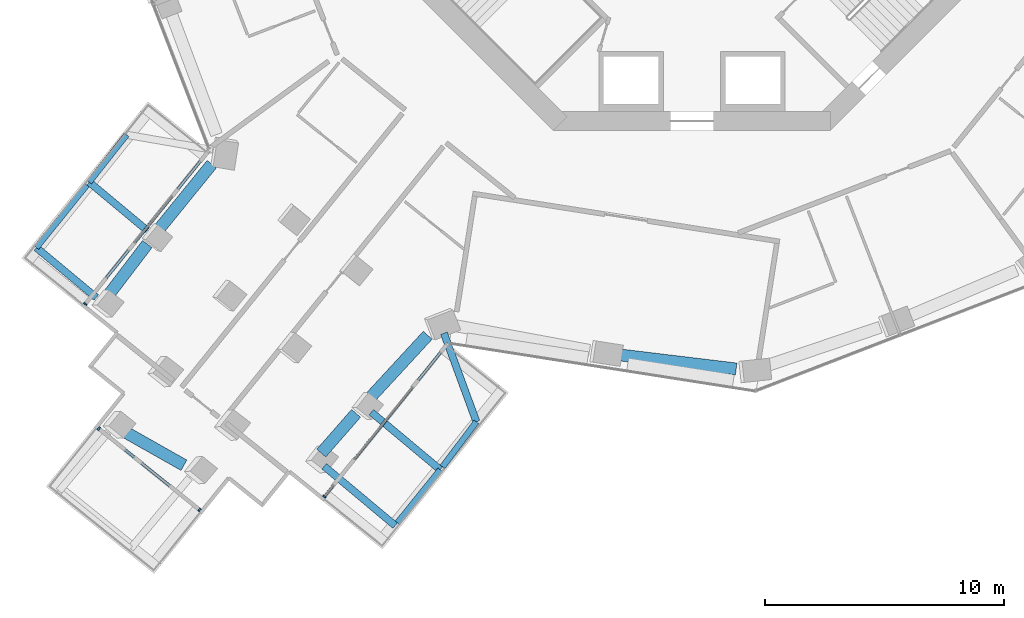
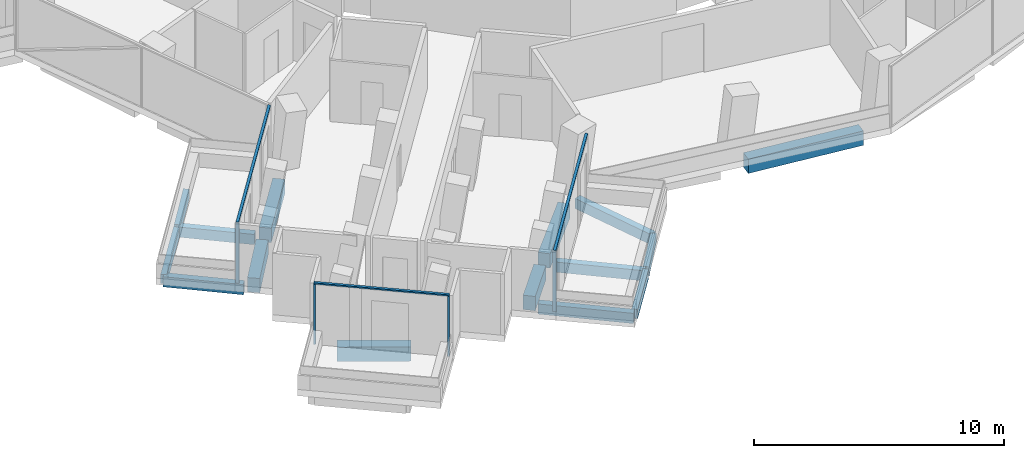
# One storey, part 2 of 23: 15 beams, 7 members, 3 elements without a shape of their own.
"""IFC4 building model written with IfcOpenShell, lengths in metres."""

from ifc_helpers import new_model, si_unit, direction, frame, origin, origin_2d, place, context, subcontext, project, spatial, rectangle, extrude, material, layer, layer_set, material_profile, profile_set, type_object, element, aggregate, save


model = new_model("IFC4")

# Units and contexts
model_context = context("Model", 3, precision=1e-05, world=origin(), true_north=direction((0.0, 1.0)))
body_context = subcontext(model_context, "Body", "Model", "MODEL_VIEW")
ifc_project = project(units=[si_unit("LENGTHUNIT", "METRE"), si_unit("AREAUNIT", "SQUARE_METRE"), si_unit("VOLUMEUNIT", "CUBIC_METRE"), si_unit("PLANEANGLEUNIT", "RADIAN"), si_unit("MASSUNIT", "GRAM", prefix="KILO")], contexts=[model_context])

# Site, building, storey
site_placement = place(None, origin())
site = spatial("IfcSite", under=ifc_project, at=site_placement, CompositionType="ELEMENT")
building_placement = place(site_placement, origin())
building = spatial("IfcBuilding", under=site, at=building_placement, Name="Verdalira Terraces Hotel", CompositionType="ELEMENT")
storey_placement = place(building_placement, frame((0.0, 0.0, 118.5)))
storey = spatial("IfcBuildingStorey", under=building, at=storey_placement, Name="L28", CompositionType="ELEMENT", Elevation=118.5)

# Beams
ifc_material_1 = material(Name="Concrete C40", Category="concrete")
ifc_material_profile_1 = material_profile(ifc_material_1, rectangle(XDim=0.300049, YDim=0.5, at=origin_2d()), Name="RC 300X500")
ifc_profile_set_1 = profile_set([ifc_material_profile_1], Name="Concrete C40")
beam_type_1 = type_object("IfcBeamType", Name="Balcony cantilever beam RC 300X500 C40", PredefinedType="BEAM", material=ifc_profile_set_1)
beam_1_placement = place(storey_placement, frame((-22.811279, -18.186035, -0.560059), z_axis=(-0.767866285, 0.640610153, 0.0), x_axis=(-0.640610153, -0.767866285, 0.0)))
element("IfcBeam", 1, at=beam_1_placement, inside=storey, type_object=beam_type_1, Name="Balcony cantilever beam R14-2", PredefinedType="BEAM", context=body_context, shape_type="SweptSolid", body=[
    extrude(rectangle(XDim=0.300049, YDim=0.5, at=origin_2d()), origin(), (0.0, 0.0, 1.0), 3.157959),
])
beam_2_placement = place(storey_placement, frame((-24.94165, -20.994385, -0.560059), z_axis=(-0.767816276, 0.640670092, 0.0), x_axis=(-0.640670092, -0.767816276, 0.0)))
element("IfcBeam", 2, at=beam_2_placement, inside=storey, type_object=beam_type_1, Name="Balcony cantilever beam R14-3", PredefinedType="BEAM", context=body_context, shape_type="SweptSolid", body=[
    extrude(rectangle(XDim=0.300049, YDim=0.5, at=origin_2d()), origin(), (0.0, 0.0, 1.0), 3.262451),
])
beam_3_placement = place(storey_placement, frame((-15.400879, -28.057617, -0.560059), z_axis=(0.767823813, -0.640661059, 0.0), x_axis=(0.640661059, 0.767823813, 0.0)))
element("IfcBeam", 3, at=beam_3_placement, inside=storey, type_object=beam_type_1, Name="Balcony cantilever beam R24-1", PredefinedType="BEAM", context=body_context, shape_type="SweptSolid", body=[
    extrude(rectangle(XDim=0.300049, YDim=0.5, at=origin_2d()), origin(), (0.0, 0.0, 1.0), 3.878174),
])
beam_4_placement = place(storey_placement, frame((-13.426758, -25.791992, -0.560059), z_axis=(0.767848922, -0.640630965, 0.0), x_axis=(0.640630965, 0.767848922, 0.0)))
element("IfcBeam", 4, at=beam_4_placement, inside=storey, type_object=beam_type_1, Name="Balcony cantilever beam R24-2", PredefinedType="BEAM", context=body_context, shape_type="SweptSolid", body=[
    extrude(rectangle(XDim=0.300049, YDim=0.5, at=origin_2d()), origin(), (0.0, 0.0, 1.0), 3.763184),
])
beam_5_placement = place(storey_placement, frame((-10.385498, -22.487549, -0.560059), z_axis=(0.344639632, -0.938735066, 0.0), x_axis=(0.938735066, 0.344639632, 0.0)))
element("IfcBeam", 5, at=beam_5_placement, inside=storey, type_object=beam_type_1, Name="Balcony cantilever beam R24-3", PredefinedType="BEAM", context=body_context, shape_type="SweptSolid", body=[
    extrude(rectangle(XDim=0.300049, YDim=0.5, at=origin_2d()), origin(), (0.0, 0.0, 1.0), 3.949951),
])
ifc_material_2 = material(Name="Concrete C40", Category="concrete")
ifc_material_profile_2 = material_profile(ifc_material_2, rectangle(XDim=0.25, YDim=0.449951, at=origin_2d()), Name="RC 250X450")
ifc_profile_set_2 = profile_set([ifc_material_profile_2], Name="Concrete C40")
beam_type_2 = type_object("IfcBeamType", Name="Balcony edge beam RC 250X450 C40", PredefinedType="BEAM", material=ifc_profile_set_2)
beam_6_placement = place(storey_placement, frame((-23.669678, -14.180176, -0.534912), z_axis=(-0.619876069, -0.784699725, 0.0), x_axis=(0.784699725, -0.619876069, 0.0)))
element("IfcBeam", 6, at=beam_6_placement, inside=storey, type_object=beam_type_2, Name="Balcony edge beam R14-1", PredefinedType="BEAM", context=body_context, shape_type="SweptSolid", body=[
    extrude(rectangle(XDim=0.25, YDim=0.449951, at=origin_2d()), origin(), (0.0, 0.0, 1.0), 2.526855),
])
beam_7_placement = place(storey_placement, frame((-25.330322, -16.279785, -0.534912), z_axis=(-0.627693002, -0.778460979, 0.0), x_axis=(0.778460979, -0.627693002, 0.0)))
element("IfcBeam", 7, at=beam_7_placement, inside=storey, type_object=beam_type_2, Name="Balcony edge beam R14-2", PredefinedType="BEAM", context=body_context, shape_type="SweptSolid", body=[
    extrude(rectangle(XDim=0.25, YDim=0.449951, at=origin_2d()), origin(), (0.0, 0.0, 1.0), 3.371338),
])
beam_8_placement = place(storey_placement, frame((-12.329102, -30.425293, -0.534912), z_axis=(0.627693946, 0.778460217, 0.0), x_axis=(-0.778460217, 0.627693946, 0.0)))
element("IfcBeam", 8, at=beam_8_placement, inside=storey, type_object=beam_type_2, Name="Balcony edge beam R24-1", PredefinedType="BEAM", context=body_context, shape_type="SweptSolid", body=[
    extrude(rectangle(XDim=0.25, YDim=0.449951, at=origin_2d()), origin(), (0.0, 0.0, 1.0), 2.85498),
])
beam_9_placement = place(storey_placement, frame((-10.446777, -28.083008, -0.534912), z_axis=(0.601898931, 0.798572274, 0.0), x_axis=(-0.798572274, 0.601898931, 0.0)))
element("IfcBeam", 9, at=beam_9_placement, inside=storey, type_object=beam_type_2, Name="Balcony edge beam R24-2", PredefinedType="BEAM", context=body_context, shape_type="SweptSolid", body=[
    extrude(rectangle(XDim=0.25, YDim=0.449951, at=origin_2d()), origin(), (0.0, 0.0, 1.0), 2.363525),
])

# Curtain wall, member
ifc_material_3 = material(Name="Clear glass", Category="glass")
ifc_layer_1 = layer(ifc_material_3, 0.14990234375)
ifc_layer_set_1 = layer_set([ifc_layer_1], Name="CW2 curtain wall")
curtain_wall_type_1 = type_object("IfcCurtainWallType", Name="CW2 curtain wall", PredefinedType="NOTDEFINED", material=ifc_layer_set_1)
curtain_wall_1_placement = place(storey_placement, origin())
curtain_wall_1 = element("IfcCurtainWall", 10, at=curtain_wall_1_placement, inside=storey, type_object=curtain_wall_type_1, Name="CW2 curtain wall L28 edge 14", PredefinedType="NOTDEFINED")
ifc_material_4 = material(Name="Terracotta frame", Category="masonry")
ifc_material_profile_3 = material_profile(ifc_material_4, rectangle(XDim=0.070068, YDim=0.149902, at=origin_2d()), Name="MU 70x150")
ifc_profile_set_3 = profile_set([ifc_material_profile_3], Name="Terracotta frame")
member_type_1 = type_object("IfcMemberType", Name="CW2 mullion 70x150", PredefinedType="MULLION", material=ifc_profile_set_3)
member_1_placement = place(storey_placement, frame((-25.396484, -21.260742, 0.0), z_axis=(0.0, 0.0, 1.0), x_axis=(-0.627691361, -0.778462302, 0.0)))
member_1 = element("IfcMember", 11, at=member_1_placement, type_object=member_type_1, Name="CW2 mullion", PredefinedType="MULLION", context=body_context, shape_type="SweptSolid", body=[
    extrude(rectangle(XDim=0.070068, YDim=0.149902, at=origin_2d()), origin(), (0.0, 0.0, 1.0), 2.935059),
])

curtain_wall_2_placement = place(storey_placement, origin())
curtain_wall_2 = element("IfcCurtainWall", 12, at=curtain_wall_2_placement, inside=storey, type_object=curtain_wall_type_1, Name="CW2 curtain wall L28 edge 24", PredefinedType="NOTDEFINED")
member_2_placement = place(storey_placement, frame((-15.393311, -29.32666, 0.0), z_axis=(0.0, 0.0, 1.0), x_axis=(0.627691361, 0.778462302, 0.0)))
member_2 = element("IfcMember", 13, at=member_2_placement, type_object=member_type_1, Name="CW2 mullion", PredefinedType="MULLION", context=body_context, shape_type="SweptSolid", body=[
    extrude(rectangle(XDim=0.070068, YDim=0.149902, at=origin_2d()), origin(), (0.0, 0.0, 1.0), 2.935059),
])

# Member
ifc_material_5 = material(Name="Terracotta frame", Category="masonry")
ifc_material_profile_4 = material_profile(ifc_material_5, rectangle(XDim=0.11499, YDim=0.064941, at=origin_2d()), Name="TR 65x115")
ifc_profile_set_4 = profile_set([ifc_material_profile_4], Name="Terracotta frame")
member_type_2 = type_object("IfcMemberType", Name="CW2 transom 65x115", PredefinedType="USERDEFINED", material=ifc_profile_set_4)
member_3_placement = place(storey_placement, frame((-20.228271, -14.851318, 2.967529), z_axis=(-0.627697046, -0.778457718, 0.0), x_axis=(0.778457718, -0.627697046, 0.0)))
member_3 = element("IfcMember", 14, at=member_3_placement, type_object=member_type_2, Name="CW2 transom", ObjectType="TRANSOM", PredefinedType="USERDEFINED", context=body_context, shape_type="SweptSolid", body=[
    extrude(rectangle(XDim=0.11499, YDim=0.064941, at=origin_2d()), origin(), (0.0, 0.0, 1.0), 8.268555),
])

aggregate(curtain_wall_1, [member_1, member_3])

member_4_placement = place(storey_placement, frame((-15.415283, -29.35376, 2.967529), z_axis=(0.627697046, 0.778457718, 0.0), x_axis=(-0.778457718, 0.627697046, 0.0)))
member_4 = element("IfcMember", 15, at=member_4_placement, type_object=member_type_2, Name="CW2 transom", ObjectType="TRANSOM", PredefinedType="USERDEFINED", context=body_context, shape_type="SweptSolid", body=[
    extrude(rectangle(XDim=0.11499, YDim=0.064941, at=origin_2d()), origin(), (0.0, 0.0, 1.0), 8.268555),
])

aggregate(curtain_wall_2, [member_2, member_4])

# Curtain wall, members
ifc_material_6 = material(Name="Clear glass", Category="glass")
ifc_layer_2 = layer(ifc_material_6, 0.14990234375)
ifc_layer_set_2 = layer_set([ifc_layer_2], Name="CW3 curtain wall")
curtain_wall_type_2 = type_object("IfcCurtainWallType", Name="CW3 curtain wall", PredefinedType="NOTDEFINED", material=ifc_layer_set_2)
curtain_wall_3_placement = place(storey_placement, origin())
curtain_wall_3 = element("IfcCurtainWall", 16, at=curtain_wall_3_placement, inside=storey, type_object=curtain_wall_type_2, Name="CW3 curtain wall L28 edge 19", PredefinedType="NOTDEFINED")
ifc_material_7 = material(Name="Terracotta frame", Category="masonry")
ifc_material_profile_5 = material_profile(ifc_material_7, rectangle(XDim=0.080078, YDim=0.149902, at=origin_2d()), Name="MU 80x150")
ifc_profile_set_5 = profile_set([ifc_material_profile_5], Name="Terracotta frame")
member_type_3 = type_object("IfcMemberType", Name="CW3 mullion 80x150", PredefinedType="MULLION", material=ifc_profile_set_5)
member_5_placement = place(storey_placement, frame((-24.833252, -26.480713, 0.0), z_axis=(0.0, 0.0, 1.0), x_axis=(0.778462302, -0.627691361, 0.0)))
member_5 = element("IfcMember", 17, at=member_5_placement, type_object=member_type_3, Name="CW3 mullion", PredefinedType="MULLION", context=body_context, shape_type="SweptSolid", body=[
    extrude(rectangle(XDim=0.080078, YDim=0.149902, at=origin_2d()), origin(), (0.0, 0.0, 1.0), 2.935059),
])
member_6_placement = place(storey_placement, frame((-20.614014, -29.882812, 0.0), z_axis=(0.0, 0.0, 1.0), x_axis=(0.778462302, -0.627691361, 0.0)))
member_6 = element("IfcMember", 18, at=member_6_placement, type_object=member_type_3, Name="CW3 mullion", PredefinedType="MULLION", context=body_context, shape_type="SweptSolid", body=[
    extrude(rectangle(XDim=0.080078, YDim=0.149902, at=origin_2d()), origin(), (0.0, 0.0, 1.0), 2.935059),
])
ifc_material_8 = material(Name="Terracotta frame", Category="masonry")
ifc_material_profile_6 = material_profile(ifc_material_8, rectangle(XDim=0.120117, YDim=0.064941, at=origin_2d()), Name="TR 65x120")
ifc_profile_set_6 = profile_set([ifc_material_profile_6], Name="Terracotta frame")
member_type_4 = type_object("IfcMemberType", Name="CW3 transom 65x120", PredefinedType="USERDEFINED", material=ifc_profile_set_6)
member_7_placement = place(storey_placement, frame((-24.864258, -26.455566, 2.967529), z_axis=(0.778450822, -0.627705598, 0.0), x_axis=(0.627705598, 0.778450822, 0.0)))
member_7 = element("IfcMember", 19, at=member_7_placement, type_object=member_type_4, Name="CW3 transom", ObjectType="TRANSOM", PredefinedType="USERDEFINED", context=body_context, shape_type="SweptSolid", body=[
    extrude(rectangle(XDim=0.120117, YDim=0.064941, at=origin_2d()), origin(), (0.0, 0.0, 1.0), 5.5),
])
aggregate(curtain_wall_3, [member_5, member_6, member_7])

# Beams
ifc_material_9 = material(Name="Concrete C70", Category="concrete")
ifc_material_profile_7 = material_profile(ifc_material_9, rectangle(XDim=0.5, YDim=0.699951, at=origin_2d()), Name="RC 500X700")
ifc_profile_set_7 = profile_set([ifc_material_profile_7], Name="Concrete C70")
beam_type_3 = type_object("IfcBeamType", Name="Spandrel beam RC 500X700 C70", PredefinedType="SPANDREL", material=ifc_profile_set_7)
beam_10_placement = place(storey_placement, frame((-20.103516, -15.408936, -0.659912), z_axis=(-0.630249191, -0.776392914, 0.0), x_axis=(0.776392914, -0.630249191, 0.0)))
element("IfcBeam", 20, at=beam_10_placement, inside=storey, type_object=beam_type_3, Name="Spandrel beam B08", PredefinedType="SPANDREL", context=body_context, shape_type="SweptSolid", body=[
    extrude(rectangle(XDim=0.5, YDim=0.699951, at=origin_2d()), origin(), (0.0, 0.0, 1.0), 3.479736),
])
beam_11_placement = place(storey_placement, frame((-22.805176, -18.757324, -0.659912), z_axis=(-0.60597824, -0.795481221, 0.0), x_axis=(0.795481221, -0.60597824, 0.0)))
element("IfcBeam", 21, at=beam_11_placement, inside=storey, type_object=beam_type_3, Name="Spandrel beam B09", PredefinedType="SPANDREL", context=body_context, shape_type="SweptSolid", body=[
    extrude(rectangle(XDim=0.5, YDim=0.699951, at=origin_2d()), origin(), (0.0, 0.0, 1.0), 2.717041),
])
beam_12_placement = place(storey_placement, frame((-23.856934, -26.552246, -0.659912), z_axis=(0.870527667, -0.492119479, 0.0), x_axis=(0.492119479, 0.870527667, 0.0)))
element("IfcBeam", 22, at=beam_12_placement, inside=storey, type_object=beam_type_3, Name="Spandrel beam B10", PredefinedType="SPANDREL", context=body_context, shape_type="SweptSolid", body=[
    extrude(rectangle(XDim=0.5, YDim=0.699951, at=origin_2d()), origin(), (0.0, 0.0, 1.0), 2.973633),
])
beam_13_placement = place(storey_placement, frame((-15.52002, -27.508301, -0.659912), z_axis=(0.658098558, 0.752931795, 0.0), x_axis=(-0.752931795, 0.658098558, 0.0)))
element("IfcBeam", 23, at=beam_13_placement, inside=storey, type_object=beam_type_3, Name="Spandrel beam B11", PredefinedType="SPANDREL", context=body_context, shape_type="SweptSolid", body=[
    extrude(rectangle(XDim=0.5, YDim=0.699951, at=origin_2d()), origin(), (0.0, 0.0, 1.0), 2.214111),
])
beam_14_placement = place(storey_placement, frame((-13.509277, -25.224854, -0.659912), z_axis=(0.678102951, 0.73496693, 0.0), x_axis=(-0.73496693, 0.678102951, 0.0)))
element("IfcBeam", 24, at=beam_14_placement, inside=storey, type_object=beam_type_3, Name="Spandrel beam B12", PredefinedType="SPANDREL", context=body_context, shape_type="SweptSolid", body=[
    extrude(rectangle(XDim=0.5, YDim=0.699951, at=origin_2d()), origin(), (0.0, 0.0, 1.0), 3.606445),
])
beam_15_placement = place(storey_placement, frame((-3.124512, -23.384766, -0.659912), z_axis=(0.992830436, -0.119531271, 0.0), x_axis=(0.119531271, 0.992830436, 0.0)))
element("IfcBeam", 25, at=beam_15_placement, inside=storey, type_object=beam_type_3, Name="Spandrel beam B14", PredefinedType="SPANDREL", context=body_context, shape_type="SweptSolid", body=[
    extrude(rectangle(XDim=0.5, YDim=0.699951, at=origin_2d()), origin(), (0.0, 0.0, 1.0), 5.012207),
])

save(model, "model.ifc")
